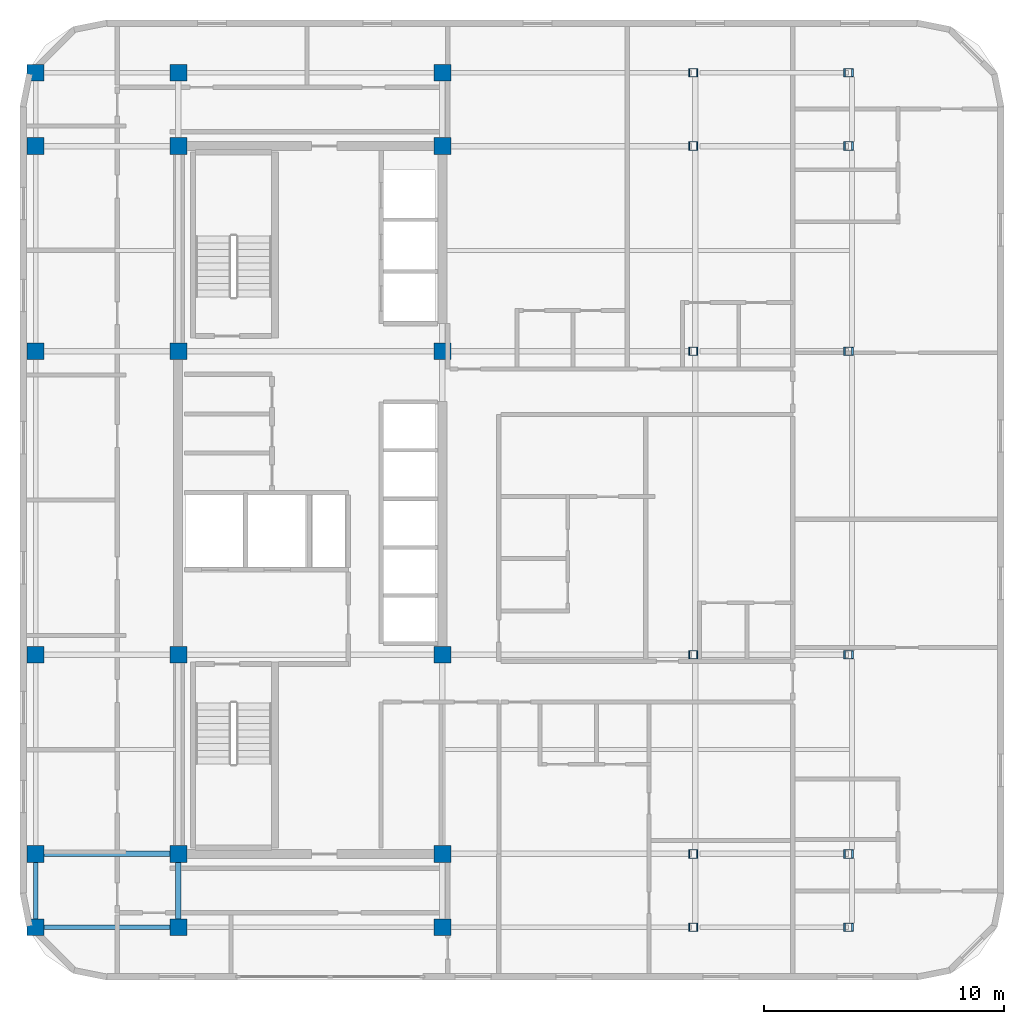
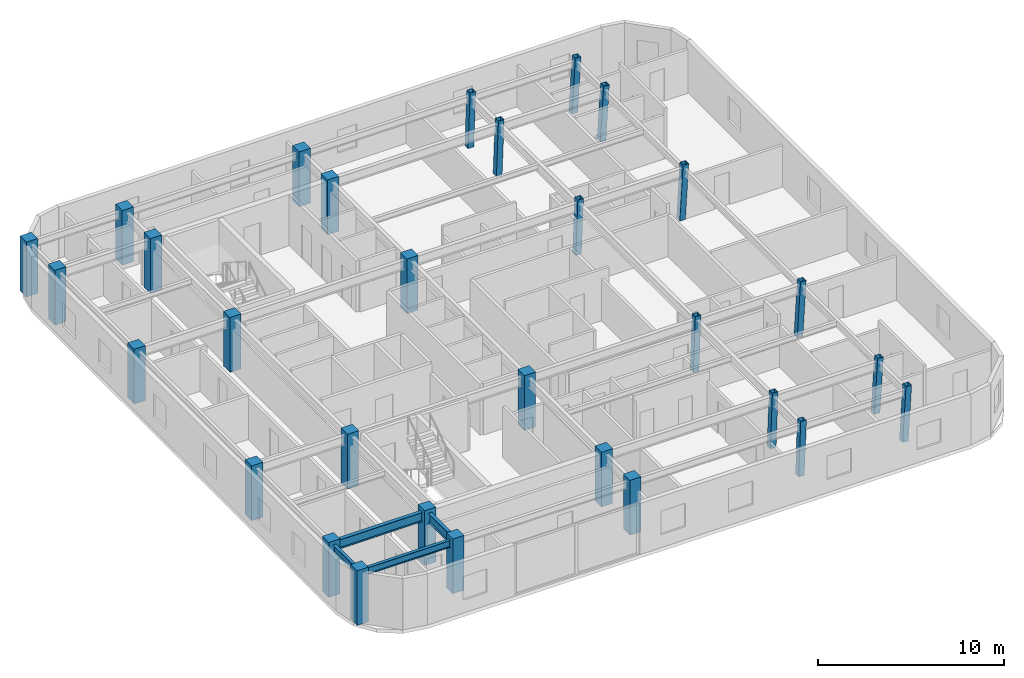
# One storey, part 1 of 9: 30 columns, 4 beams.
"""IFC4 building model written with IfcOpenShell, lengths in metres."""

from ifc_helpers import new_model, si_unit, direction, frame, origin, origin_2d, place, context, subcontext, project, spatial, rectangle, hollow_rectangle, i_section, extrude, material, material_profile, profile_set, type_object, element, save


model = new_model("IFC4")

# Units and contexts
model_context = context("Model", 3, precision=1e-05, world=origin(), true_north=direction((0.0, 1.0)))
body_context = subcontext(model_context, "Body", "Model", "MODEL_VIEW")
ifc_project = project(units=[si_unit("LENGTHUNIT", "METRE"), si_unit("AREAUNIT", "SQUARE_METRE"), si_unit("VOLUMEUNIT", "CUBIC_METRE"), si_unit("PLANEANGLEUNIT", "RADIAN"), si_unit("MASSUNIT", "GRAM", prefix="KILO")], contexts=[model_context])

# Site, building, storey
site_placement = place(None, origin())
site = spatial("IfcSite", under=ifc_project, at=site_placement, CompositionType="ELEMENT")
building_placement = place(site_placement, origin())
building = spatial("IfcBuilding", under=site, at=building_placement, Name="Ochreholt Gables", CompositionType="ELEMENT")
storey_placement = place(building_placement, frame((0.0, 0.0, 162.60009765625)))
storey = spatial("IfcBuildingStorey", under=building, at=storey_placement, Name="L42", CompositionType="ELEMENT", Elevation=162.60009765625)

# Columns
ifc_material_1 = material(Name="Steel CSA G40.21 350W", Category="steel")
ifc_material_profile_1 = material_profile(ifc_material_1, hollow_rectangle(XDim=0.35595703125, YDim=0.35595703125, WallThickness=0.01611328125, at=origin_2d()), Name="HSS356X356X16")
ifc_profile_set_1 = profile_set([ifc_material_profile_1], Name="Steel CSA G40.21 350W")
column_type_1 = type_object("IfcColumnType", Name="COL-HSS356-RAK", PredefinedType="COLUMN", material=ifc_profile_set_1)
for number, where, z_axis, x_axis, name in (
    (1, (45.626953125, 9.25, 0.0), (0.034973505036, 0.0, 0.999388239847), (0.0, 1.0, 0.0), "L42 Column EMY2"),
    (2, (45.626953125, 17.550048828125, 0.0), (0.034973505036, 0.0, 0.999388239847), (0.0, 1.0, 0.0), "L42 Column EMY3"),
    (3, (45.626953125, 30.199951171875, 0.0), (0.034973505036, 0.0, 0.999388239847), (0.0, 1.0, 0.0), "L42 Column EMY4"),
    (4, (45.626953125, 38.75, 0.0), (0.034973505036, 0.0, 0.999388239847), (0.0, 1.0, 0.0), "L42 Column EMY5"),
):
    element("IfcColumn", number, at=place(storey_placement, frame(where, z_axis=z_axis, x_axis=x_axis)), inside=storey, type_object=column_type_1, Name=name, PredefinedType="COLUMN", context=body_context, shape_type="SweptSolid", body=[
        extrude(hollow_rectangle(XDim=0.35595703125, YDim=0.35595703125, WallThickness=0.01611328125, at=origin_2d()), origin(), (0.0, 0.0, 1.0), 3.60205078125),
    ])
ifc_material_profile_2 = material_profile(ifc_material_1, hollow_rectangle(XDim=0.35595703125, YDim=0.35595703125, WallThickness=0.01611328125, at=origin_2d()), Name="HSS356X356X16")
ifc_profile_set_2 = profile_set([ifc_material_profile_2], Name="Steel CSA G40.21 350W")
column_type_2 = type_object("IfcColumnType", Name="COL-HSS356-RAKE", PredefinedType="COLUMN", material=ifc_profile_set_2)
for number, where, z_axis, x_axis, name in (
    (5, (45.626953125, 6.199951171875, 0.0), (0.034973505036, 0.0, 0.999388239847), (0.0, 1.0, 0.0), "L42 Column EMY1"),
    (6, (45.626953125, 41.800048828125, 0.0), (0.034973505036, 0.0, 0.999388239847), (0.0, 1.0, 0.0), "L42 Column EMY6"),
):
    element("IfcColumn", number, at=place(storey_placement, frame(where, z_axis=z_axis, x_axis=x_axis)), inside=storey, type_object=column_type_2, Name=name, PredefinedType="COLUMN", context=body_context, shape_type="SweptSolid", body=[
        extrude(hollow_rectangle(XDim=0.35595703125, YDim=0.35595703125, WallThickness=0.01611328125, at=origin_2d()), origin(), (0.0, 0.0, 1.0), 3.60205078125),
    ])
for number, where, z_axis, x_axis, name in (
    (7, (52.087646484375, 6.199951171875, 0.0), (0.057888518877, 0.0, 0.998323053617), (0.0, 1.0, 0.0), "L42 Column EEY1"),
    (8, (52.087646484375, 9.25, 0.0), (0.057888518877, 0.0, 0.998323053617), (0.0, 1.0, 0.0), "L42 Column EEY2"),
    (9, (52.087646484375, 17.550048828125, 0.0), (0.057888518877, 0.0, 0.998323053617), (0.0, 1.0, 0.0), "L42 Column EEY3"),
    (10, (52.087646484375, 30.199951171875, 0.0), (0.057888518877, 0.0, 0.998323053617), (0.0, 1.0, 0.0), "L42 Column EEY4"),
    (11, (52.087646484375, 38.75, 0.0), (0.057888518877, 0.0, 0.998323053617), (0.0, 1.0, 0.0), "L42 Column EEY5"),
    (12, (52.087646484375, 41.800048828125, 0.0), (0.057888518877, 0.0, 0.998323053617), (0.0, 1.0, 0.0), "L42 Column EEY6"),
):
    element("IfcColumn", number, at=place(storey_placement, frame(where, z_axis=z_axis, x_axis=x_axis)), inside=storey, type_object=column_type_2, Name=name, PredefinedType="COLUMN", context=body_context, shape_type="SweptSolid", body=[
        extrude(hollow_rectangle(XDim=0.35595703125, YDim=0.35595703125, WallThickness=0.01611328125, at=origin_2d()), origin(), (0.0, 0.0, 1.0), 3.60595703125),
    ])
ifc_material_2 = material(Name="Concrete 50 MPa", Category="concrete")
ifc_material_profile_3 = material_profile(ifc_material_2, rectangle(XDim=0.699951171875, YDim=0.699951171875, at=origin_2d()), Name="RC700X700")
ifc_profile_set_3 = profile_set([ifc_material_profile_3], Name="Concrete 50 MPa")
column_type_3 = type_object("IfcColumnType", Name="COL-RC700-EXT", PredefinedType="COLUMN", material=ifc_profile_set_3)
for number, where, z_axis, x_axis, name in (
    (13, (18.25, 6.199951171875, 0.0), (0.0, 0.0, 1.0), (1.0, 0.0, 0.0), "L42 Column W3Y1"),
    (14, (18.25, 9.25, 0.0), (0.0, 0.0, 1.0), (1.0, 0.0, 0.0), "L42 Column W3Y2"),
    (15, (18.25, 17.550048828125, 0.0), (0.0, 0.0, 1.0), (1.0, 0.0, 0.0), "L42 Column W3Y3"),
    (16, (18.25, 30.199951171875, 0.0), (0.0, 0.0, 1.0), (1.0, 0.0, 0.0), "L42 Column W3Y4"),
    (17, (18.25, 38.75, 0.0), (0.0, 0.0, 1.0), (1.0, 0.0, 0.0), "L42 Column W3Y5"),
    (18, (18.25, 41.800048828125, 0.0), (0.0, 0.0, 1.0), (1.0, 0.0, 0.0), "L42 Column W3Y6"),
    (19, (24.199951171875, 6.199951171875, 0.0), (0.0, 0.0, 1.0), (1.0, 0.0, 0.0), "L42 Column C1Y1"),
    (20, (24.199951171875, 41.800048828125, 0.0), (0.0, 0.0, 1.0), (1.0, 0.0, 0.0), "L42 Column C1Y6"),
    (21, (35.199951171875, 6.199951171875, 0.0), (0.0, 0.0, 1.0), (1.0, 0.0, 0.0), "L42 Column C2Y1"),
    (22, (35.199951171875, 41.800048828125, 0.0), (0.0, 0.0, 1.0), (1.0, 0.0, 0.0), "L42 Column C2Y6"),
):
    element("IfcColumn", number, at=place(storey_placement, frame(where, z_axis=z_axis, x_axis=x_axis)), inside=storey, type_object=column_type_3, Name=name, PredefinedType="COLUMN", context=body_context, shape_type="SweptSolid", body=[
        extrude(rectangle(XDim=0.699951171875, YDim=0.699951171875, at=origin_2d()), origin(), (0.0, 0.0, 1.0), 3.599853515625),
    ])
ifc_material_profile_4 = material_profile(ifc_material_2, rectangle(XDim=0.699951171875, YDim=0.699951171875, at=origin_2d()), Name="RC700X700")
ifc_profile_set_4 = profile_set([ifc_material_profile_4], Name="Concrete 50 MPa")
column_type_4 = type_object("IfcColumnType", Name="COL-RC700-INT", PredefinedType="COLUMN", material=ifc_profile_set_4)
for number, where, z_axis, x_axis, name in (
    (23, (24.199951171875, 9.25, 0.0), (0.0, 0.0, 1.0), (1.0, 0.0, 0.0), "L42 Column C1Y2"),
    (24, (24.199951171875, 17.550048828125, 0.0), (0.0, 0.0, 1.0), (1.0, 0.0, 0.0), "L42 Column C1Y3"),
    (25, (24.199951171875, 30.199951171875, 0.0), (0.0, 0.0, 1.0), (1.0, 0.0, 0.0), "L42 Column C1Y4"),
    (26, (24.199951171875, 38.75, 0.0), (0.0, 0.0, 1.0), (1.0, 0.0, 0.0), "L42 Column C1Y5"),
    (27, (35.199951171875, 9.25, 0.0), (0.0, 0.0, 1.0), (1.0, 0.0, 0.0), "L42 Column C2Y2"),
    (28, (35.199951171875, 17.550048828125, 0.0), (0.0, 0.0, 1.0), (1.0, 0.0, 0.0), "L42 Column C2Y3"),
    (29, (35.199951171875, 30.199951171875, 0.0), (0.0, 0.0, 1.0), (1.0, 0.0, 0.0), "L42 Column C2Y4"),
    (30, (35.199951171875, 38.75, 0.0), (0.0, 0.0, 1.0), (1.0, 0.0, 0.0), "L42 Column C2Y5"),
):
    element("IfcColumn", number, at=place(storey_placement, frame(where, z_axis=z_axis, x_axis=x_axis)), inside=storey, type_object=column_type_4, Name=name, PredefinedType="COLUMN", context=body_context, shape_type="SweptSolid", body=[
        extrude(rectangle(XDim=0.699951171875, YDim=0.699951171875, at=origin_2d()), origin(), (0.0, 0.0, 1.0), 3.599853515625),
    ])

# Beams
ifc_material_profile_5 = material_profile(ifc_material_1, i_section(OverallWidth=0.22900390625, OverallDepth=0.612060546875, WebThickness=0.011962890625, FlangeThickness=0.01953125, at=origin_2d()), Name="W610X125")
ifc_profile_set_5 = profile_set([ifc_material_profile_5], Name="Steel CSA G40.21 350W")
beam_type_1 = type_object("IfcBeamType", Name="BM-G-W610B", PredefinedType="BEAM", material=ifc_profile_set_5)
beam_1_placement = place(storey_placement, frame((18.599609375, 9.25, 3.053955078125), z_axis=(1.0, 0.0, 0.0), x_axis=(0.0, 1.0, 0.0)))
element("IfcBeam", 31, at=beam_1_placement, inside=storey, type_object=beam_type_1, Name="L42 Beam TBG-L42-W3C1-Y2", PredefinedType="BEAM", context=body_context, shape_type="SweptSolid", body=[
    extrude(i_section(OverallWidth=0.22900390625, OverallDepth=0.612060546875, WebThickness=0.011962890625, FlangeThickness=0.01953125, at=origin_2d()), origin(), (0.0, 0.0, 1.0), 5.250732421875),
])
beam_2_placement = place(storey_placement, frame((24.199951171875, 6.549560546875, 3.053955078125), z_axis=(0.0, 1.0, 0.0), x_axis=(-1.0, 0.0, 0.0)))
element("IfcBeam", 32, at=beam_2_placement, inside=storey, type_object=beam_type_1, Name="L42 Beam TBN-L42-C1-Y1Y2", PredefinedType="BEAM", context=body_context, shape_type="SweptSolid", body=[
    extrude(i_section(OverallWidth=0.22900390625, OverallDepth=0.612060546875, WebThickness=0.011962890625, FlangeThickness=0.01953125, at=origin_2d()), origin(), (0.0, 0.0, 1.0), 2.350830078125),
])
ifc_material_profile_6 = material_profile(ifc_material_1, i_section(OverallWidth=0.19189453125, OverallDepth=0.462890625, WebThickness=0.010498046875, FlangeThickness=0.017578125, at=origin_2d()), Name="W460X89")
ifc_profile_set_6 = profile_set([ifc_material_profile_6], Name="Steel CSA G40.21 350W")
beam_type_2 = type_object("IfcBeamType", Name="BM-SP-W460A", PredefinedType="SPANDREL", material=ifc_profile_set_6)
beam_3_placement = place(storey_placement, frame((18.599609375, 6.199951171875, 3.12841796875), z_axis=(1.0, 0.0, 0.0), x_axis=(0.0, 1.0, 0.0)))
element("IfcBeam", 33, at=beam_3_placement, inside=storey, type_object=beam_type_2, Name="L42 Beam TBG-L42-W3C1-Y1", PredefinedType="SPANDREL", context=body_context, shape_type="SweptSolid", body=[
    extrude(i_section(OverallWidth=0.19189453125, OverallDepth=0.462890625, WebThickness=0.010498046875, FlangeThickness=0.017578125, at=origin_2d()), origin(), (0.0, 0.0, 1.0), 5.250732421875),
])
beam_4_placement = place(storey_placement, frame((18.25, 6.549560546875, 3.12841796875), z_axis=(0.0, 1.0, 0.0), x_axis=(-1.0, 0.0, 0.0)))
element("IfcBeam", 34, at=beam_4_placement, inside=storey, type_object=beam_type_2, Name="L42 Beam TBN-L42-W3-Y1Y2", PredefinedType="SPANDREL", context=body_context, shape_type="SweptSolid", body=[
    extrude(i_section(OverallWidth=0.19189453125, OverallDepth=0.462890625, WebThickness=0.010498046875, FlangeThickness=0.017578125, at=origin_2d()), origin(), (0.0, 0.0, 1.0), 2.350830078125),
])

save(model, "model.ifc")
